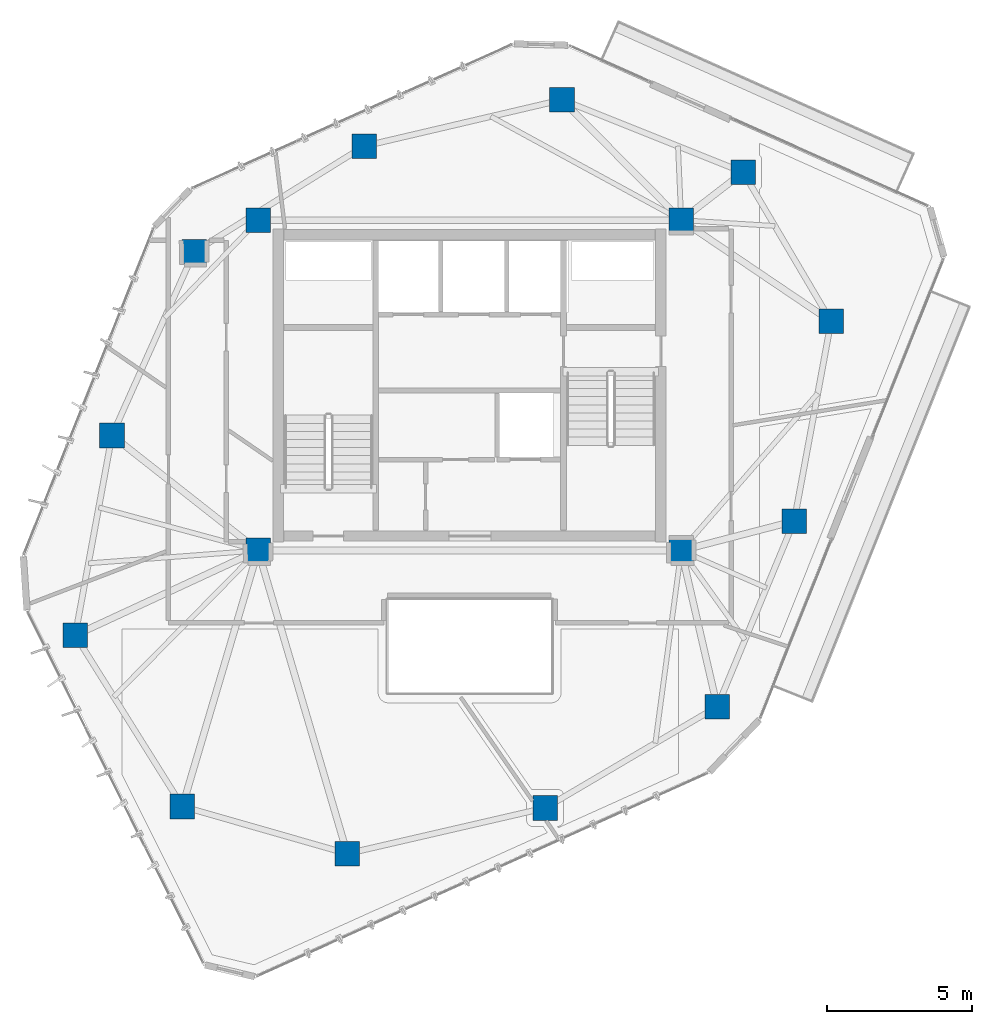
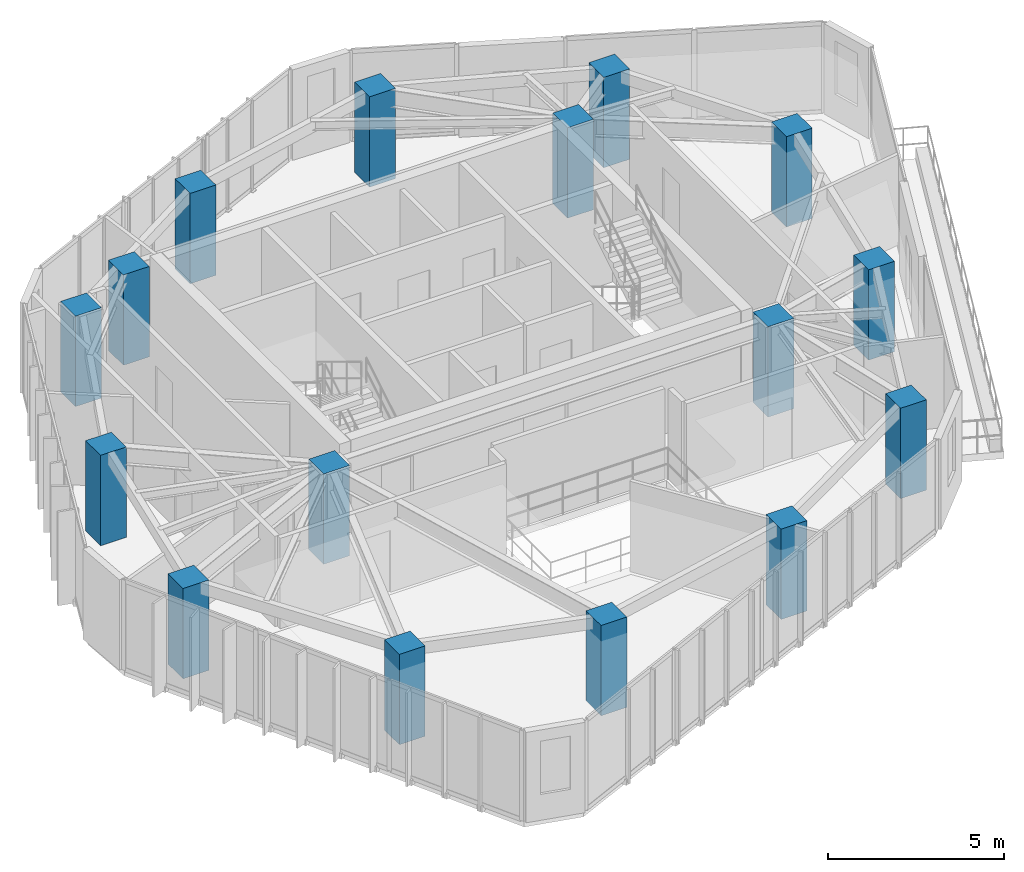
# One storey, part 1 of 21: 16 columns.
"""IFC4 building model written with IfcOpenShell, lengths in metres."""

from ifc_helpers import new_model, si_unit, direction, frame, origin, origin_2d, place, context, subcontext, project, spatial, rectangle, extrude, material, material_profile, profile_set, type_object, element, save


model = new_model("IFC4")

# Units and contexts
model_context = context("Model", 3, precision=1e-05, world=origin(), true_north=direction((0.0, 1.0)))
body_context = subcontext(model_context, "Body", "Model", "MODEL_VIEW")
ifc_project = project(units=[si_unit("LENGTHUNIT", "METRE"), si_unit("AREAUNIT", "SQUARE_METRE"), si_unit("VOLUMEUNIT", "CUBIC_METRE"), si_unit("PLANEANGLEUNIT", "RADIAN"), si_unit("MASSUNIT", "GRAM", prefix="KILO")], contexts=[model_context])

# Site, building, storey
site_placement = place(None, origin())
site = spatial("IfcSite", under=ifc_project, at=site_placement, CompositionType="ELEMENT")
building_placement = place(site_placement, origin())
building = spatial("IfcBuilding", under=site, at=building_placement, Name="Talar Marvaseh", CompositionType="ELEMENT")
storey_placement = place(building_placement, frame((0.0, 0.0, 271.39990234375)))
storey = spatial("IfcBuildingStorey", under=building, at=storey_placement, Name="L72", CompositionType="ELEMENT", Elevation=271.39990234375)

# Columns
ifc_material = material(Name="Concrete C50/60", Category="concrete")
ifc_material_profile = material_profile(ifc_material, rectangle(XDim=0.85009765625, YDim=0.85009765625, at=origin_2d()), Name="RC850x850")
ifc_profile_set = profile_set([ifc_material_profile], Name="Concrete C50/60")
column_type = type_object("IfcColumnType", Name="Zone 4 Tube Column RC850x850", PredefinedType="COLUMN", material=ifc_profile_set)
for number, where, z_axis, x_axis, name in (
    (1, (12.388916015625, 22.576904296875, 0.0), (0.0, 0.0, 1.0), (1.0, 0.0, 0.0), "L72 Zone 4 Tube Column RC850x850"),
    (2, (13.657958984375, 29.469970703125, 0.0), (0.0, 0.0, 1.0), (1.0, 0.0, 0.0), "L72 Zone 4 Tube Column RC850x850"),
    (3, (16.493896484375, 35.806884765625, 0.0), (0.0, 0.0, 1.0), (1.0, 0.0, 0.0), "L72 Zone 4 Tube Column RC850x850"),
    (4, (22.364990234375, 39.4541015625, 0.0), (0.0, 0.0, 1.0), (1.0, 0.0, 0.0), "L72 Zone 4 Tube Column RC850x850"),
    (5, (29.18798828125, 41.052001953125, 0.0), (0.0, 0.0, 1.0), (1.0, 0.0, 0.0), "L72 Zone 4 Tube Column RC850x850"),
    (6, (35.43798828125, 38.551025390625, 0.0), (0.0, 0.0, 1.0), (1.0, 0.0, 0.0), "L72 Zone 4 Tube Column RC850x850"),
    (7, (38.470947265625, 33.406005859375, 0.0), (0.0, 0.0, 1.0), (1.0, 0.0, 0.0), "L72 Zone 4 Tube Column RC850x850"),
    (8, (37.197021484375, 26.513916015625, 0.0), (0.0, 0.0, 1.0), (1.0, 0.0, 0.0), "L72 Zone 4 Tube Column RC850x850"),
    (9, (34.5439453125, 20.111083984375, 0.0), (0.0, 0.0, 1.0), (1.0, 0.0, 0.0), "L72 Zone 4 Tube Column RC850x850"),
    (10, (28.60498046875, 16.616943359375, 0.0), (0.0, 0.0, 1.0), (1.0, 0.0, 0.0), "L72 Zone 4 Tube Column RC850x850"),
    (11, (21.77587890625, 15.0400390625, 0.0), (0.0, 0.0, 1.0), (1.0, 0.0, 0.0), "L72 Zone 4 Tube Column RC850x850"),
    (12, (16.0869140625, 16.66796875, 0.0), (0.0, 0.0, 1.0), (1.0, 0.0, 0.0), "L72 Zone 4 Tube Column RC850x850"),
    (13, (18.699951171875, 25.5, 0.0), (0.0, 0.0, 1.0), (1.0, 0.0, 0.0), "L72 Zone 4 Tube Column RC850x850"),
    (14, (33.300048828125, 25.5, 0.0), (0.0, 0.0, 1.0), (1.0, 0.0, 0.0), "L72 Zone 4 Tube Column RC850x850"),
    (15, (33.300048828125, 36.89990234375, 0.0), (0.0, 0.0, 1.0), (1.0, 0.0, 0.0), "L72 Zone 4 Tube Column RC850x850"),
    (16, (18.699951171875, 36.89990234375, 0.0), (0.0, 0.0, 1.0), (1.0, 0.0, 0.0), "L72 Zone 4 Tube Column RC850x850"),
):
    element("IfcColumn", number, at=place(storey_placement, frame(where, z_axis=z_axis, x_axis=x_axis)), inside=storey, type_object=column_type, Name=name, PredefinedType="COLUMN", context=body_context, shape_type="SweptSolid", body=[
        extrude(rectangle(XDim=0.85009765625, YDim=0.85009765625, at=origin_2d()), origin(), (0.0, 0.0, 1.0), 3.14013671875),
    ])

save(model, "model.ifc")
